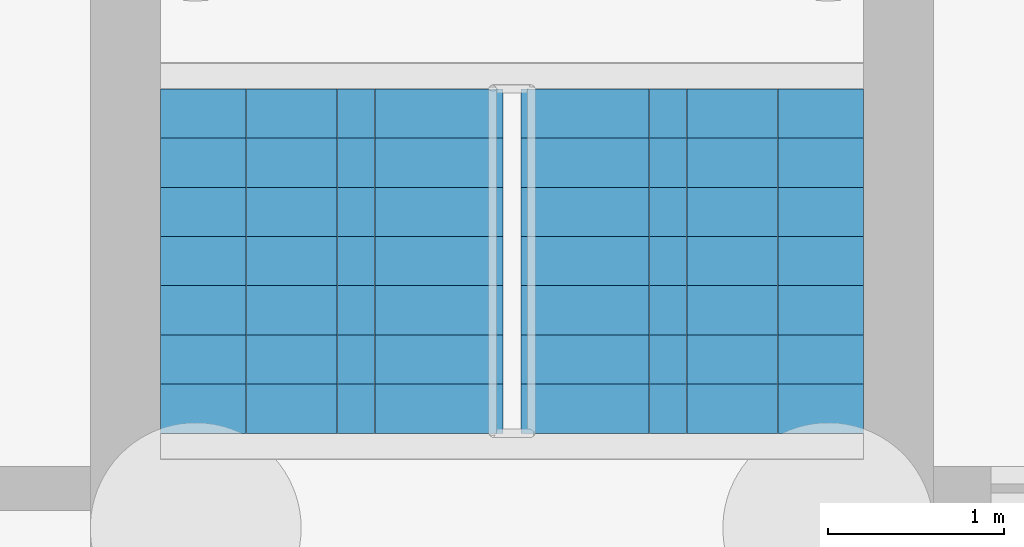
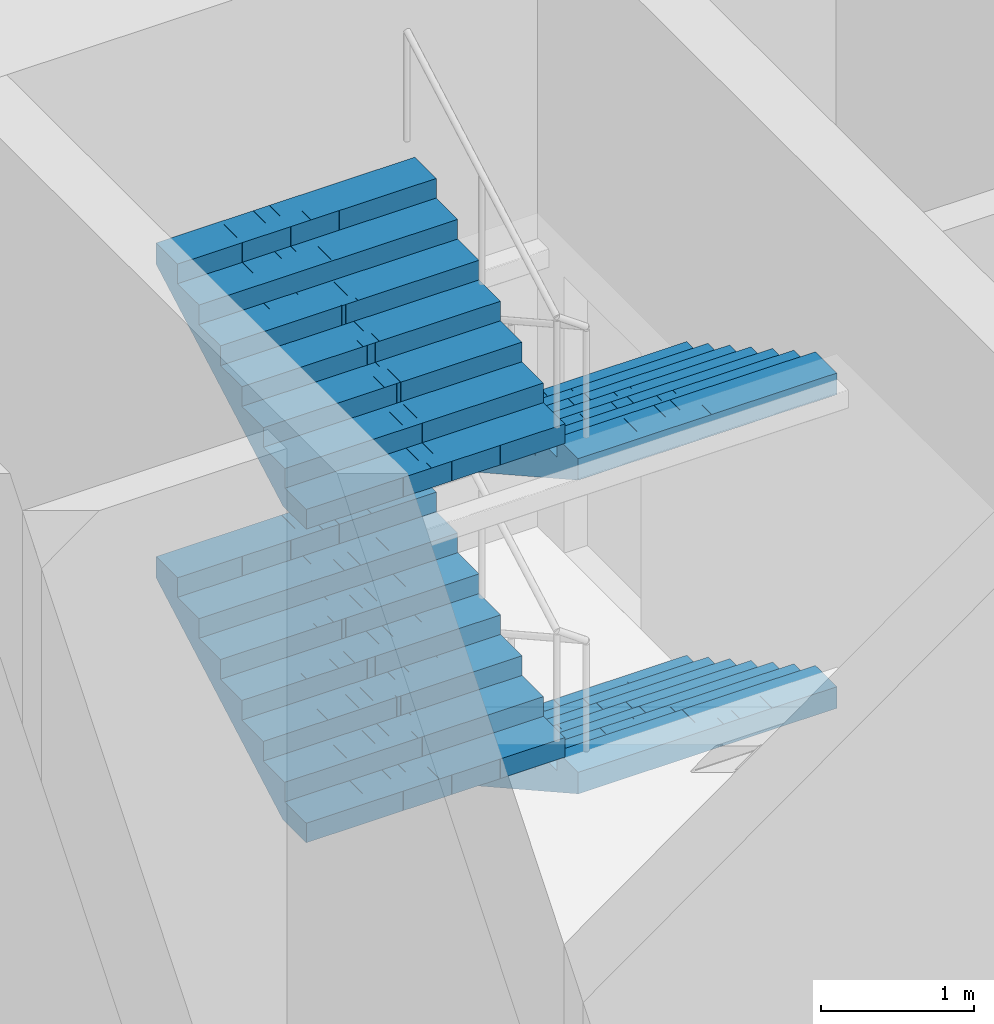
# One storey, part 18 of 31: 4 stair flights, 1 element without a shape of its own.
"""IFC4 building model written with IfcOpenShell, lengths in metres."""

from ifc_helpers import new_model, si_unit, direction, frame, origin, place, context, subcontext, project, spatial, polyline, outline, extrude, material, type_object, element, aggregate, save


model = new_model("IFC4")

# Units and contexts
model_context = context("Model", 3, precision=1e-05, world=origin(), true_north=direction((0.0, 1.0)))
body_context = subcontext(model_context, "Body", "Model", "MODEL_VIEW")
ifc_project = project(units=[si_unit("LENGTHUNIT", "METRE"), si_unit("AREAUNIT", "SQUARE_METRE"), si_unit("VOLUMEUNIT", "CUBIC_METRE"), si_unit("PLANEANGLEUNIT", "RADIAN"), si_unit("MASSUNIT", "GRAM", prefix="KILO")], contexts=[model_context])

# Site, building, storey
site_placement = place(None, origin())
site = spatial("IfcSite", under=ifc_project, at=site_placement, CompositionType="ELEMENT")
building_placement = place(site_placement, origin())
building = spatial("IfcBuilding", under=site, at=building_placement, Name="Mizan Broadcast Tower", CompositionType="ELEMENT")
storey_placement = place(building_placement, frame((0.0, 0.0, -10.0)))
storey = spatial("IfcBuildingStorey", under=building, at=storey_placement, Name="B2", CompositionType="ELEMENT", Elevation=-10.0)

# Stair, stair flights
ifc_material_1 = material(Name="Concrete C40/50", Category="concrete")
stair_type = type_object("IfcStairType", Name="EXIT STAIR", PredefinedType="HALF_TURN_STAIR", material=ifc_material_1)
stair_placement = place(storey_placement, origin())
stair = element("IfcStair", 1, at=stair_placement, inside=storey, type_object=stair_type, Name="Stair B B2", PredefinedType="HALF_TURN_STAIR")
ifc_material_2 = material(Name="Concrete C40/50", Category="concrete")
stair_flight_type = type_object("IfcStairFlightType", Name="EXIT STAIR FLIGHT", PredefinedType="STRAIGHT", material=ifc_material_2)
stair_flight_1_placement = place(storey_placement, frame((1.02490234375, 7.89990234375, 0.0), z_axis=(0.0, 0.0, 1.0), x_axis=(0.0, -1.0, 0.0)))
stair_flight_1 = element("IfcStairFlight", 2, at=stair_flight_1_placement, type_object=stair_flight_type, Name="B flight 1", NumberOfRisers=8, NumberOfTreads=7, PredefinedType="STRAIGHT", RiserHeight=0.15625, TreadLength=0.28, context=body_context, shape_type="SweptSolid", body=[
    extrude(outline(polyline([(0.0, 0.0), (0.0, 0.15625), (0.280029296875, 0.15625), (0.280029296875, 0.3125), (0.56005859375, 0.3125), (0.56005859375, 0.46875), (0.840087890625, 0.46875), (0.840087890625, 0.625), (1.1201171875, 0.625), (1.1201171875, 0.78125), (1.39990234375, 0.78125), (1.39990234375, 0.9375), (1.679931640625, 0.9375), (1.679931640625, 1.09375), (1.9599609375, 1.09375), (1.9599609375, 1.25), (1.9599609375, 0.922119140625), (0.3076171875, 0.0), (0.0, 0.0)])), frame((0.0, 0.97509765625, 0.0), z_axis=(0.0, -1.0, 0.0), x_axis=(1.0, 0.0, 0.0)), (0.0, 0.0, 1.0), 0.4873046875),
    extrude(outline(polyline([(0.0, 0.0), (0.0, 0.15625), (0.280029296875, 0.15625), (0.280029296875, 0.3125), (0.56005859375, 0.3125), (0.56005859375, 0.46875), (0.840087890625, 0.46875), (0.840087890625, 0.625), (1.1201171875, 0.625), (1.1201171875, 0.78125), (1.39990234375, 0.78125), (1.39990234375, 0.9375), (1.679931640625, 0.9375), (1.679931640625, 1.09375), (1.9599609375, 1.09375), (1.9599609375, 1.25), (1.9599609375, 0.922119140625), (0.3076171875, 0.0), (0.0, 0.0)])), frame((0.0, 0.4873046875, 0.0), z_axis=(0.0, -1.0, 0.0), x_axis=(1.0, 0.0, 0.0)), (0.0, 0.0, 1.0), 0.2431640625),
    extrude(outline(polyline([(0.0, 0.0), (0.0, 0.15625), (0.280029296875, 0.15625), (0.280029296875, 0.3125), (0.56005859375, 0.3125), (0.56005859375, 0.46875), (0.840087890625, 0.46875), (0.840087890625, 0.625), (1.1201171875, 0.625), (1.1201171875, 0.78125), (1.39990234375, 0.78125), (1.39990234375, 0.9375), (1.679931640625, 0.9375), (1.679931640625, 1.09375), (1.9599609375, 1.09375), (1.9599609375, 1.25), (1.9599609375, 0.922119140625), (0.3076171875, 0.0), (0.0, 0.0)])), frame((0.0, 0.24365234375, 0.0), z_axis=(0.0, -1.0, 0.0), x_axis=(1.0, 0.0, 0.0)), (0.0, 0.0, 1.0), 0.121337890625),
    extrude(outline(polyline([(0.0, 0.0), (0.0, 0.15625), (0.280029296875, 0.15625), (0.280029296875, 0.3125), (0.56005859375, 0.3125), (0.56005859375, 0.46875), (0.840087890625, 0.46875), (0.840087890625, 0.625), (1.1201171875, 0.625), (1.1201171875, 0.78125), (1.39990234375, 0.78125), (1.39990234375, 0.9375), (1.679931640625, 0.9375), (1.679931640625, 1.09375), (1.9599609375, 1.09375), (1.9599609375, 1.25), (1.9599609375, 0.922119140625), (0.3076171875, 0.0), (0.0, 0.0)])), frame((0.0, 0.121826171875, 0.0), z_axis=(0.0, -1.0, 0.0), x_axis=(1.0, 0.0, 0.0)), (0.0, 0.0, 1.0), 0.060546875),
    extrude(outline(polyline([(0.0, 0.0), (0.0, 0.15625), (0.280029296875, 0.15625), (0.280029296875, 0.3125), (0.56005859375, 0.3125), (0.56005859375, 0.46875), (0.840087890625, 0.46875), (0.840087890625, 0.625), (1.1201171875, 0.625), (1.1201171875, 0.78125), (1.39990234375, 0.78125), (1.39990234375, 0.9375), (1.679931640625, 0.9375), (1.679931640625, 1.09375), (1.9599609375, 1.09375), (1.9599609375, 1.25), (1.9599609375, 0.922119140625), (0.3076171875, 0.0), (0.0, 0.0)])), frame((0.0, 0.060791015625, 0.0), z_axis=(0.0, -1.0, 0.0), x_axis=(1.0, 0.0, 0.0)), (0.0, 0.0, 1.0), 0.030029296875),
    extrude(outline(polyline([(0.0, 0.0), (0.0, 0.15625), (0.280029296875, 0.15625), (0.280029296875, 0.3125), (0.56005859375, 0.3125), (0.56005859375, 0.46875), (0.840087890625, 0.46875), (0.840087890625, 0.625), (1.1201171875, 0.625), (1.1201171875, 0.78125), (1.39990234375, 0.78125), (1.39990234375, 0.9375), (1.679931640625, 0.9375), (1.679931640625, 1.09375), (1.9599609375, 1.09375), (1.9599609375, 1.25), (1.9599609375, 0.922119140625), (0.3076171875, 0.0), (0.0, 0.0)])), frame((0.0, 0.0302734375, 0.0), z_axis=(0.0, -1.0, 0.0), x_axis=(1.0, 0.0, 0.0)), (0.0, 0.0, 1.0), 0.060302734375),
    extrude(outline(polyline([(0.0, 0.0), (0.0, 0.15625), (0.280029296875, 0.15625), (0.280029296875, 0.3125), (0.56005859375, 0.3125), (0.56005859375, 0.46875), (0.840087890625, 0.46875), (0.840087890625, 0.625), (1.1201171875, 0.625), (1.1201171875, 0.78125), (1.39990234375, 0.78125), (1.39990234375, 0.9375), (1.679931640625, 0.9375), (1.679931640625, 1.09375), (1.9599609375, 1.09375), (1.9599609375, 1.25), (1.9599609375, 0.922119140625), (0.3076171875, 0.0), (0.0, 0.0)])), frame((0.0, -0.030517578125, 0.0), z_axis=(0.0, -1.0, 0.0), x_axis=(1.0, 0.0, 0.0)), (0.0, 0.0, 1.0), 0.030029296875),
    extrude(outline(polyline([(0.0, 0.0), (0.0, 0.15625), (0.280029296875, 0.15625), (0.280029296875, 0.3125), (0.56005859375, 0.3125), (0.56005859375, 0.46875), (0.840087890625, 0.46875), (0.840087890625, 0.625), (1.1201171875, 0.625), (1.1201171875, 0.78125), (1.39990234375, 0.78125), (1.39990234375, 0.9375), (1.679931640625, 0.9375), (1.679931640625, 1.09375), (1.9599609375, 1.09375), (1.9599609375, 1.25), (1.9599609375, 0.922119140625), (0.3076171875, 0.0), (0.0, 0.0)])), frame((0.0, -0.06103515625, 0.0), z_axis=(0.0, -1.0, 0.0), x_axis=(1.0, 0.0, 0.0)), (0.0, 0.0, 1.0), 0.060546875),
    extrude(outline(polyline([(0.0, 0.0), (0.0, 0.15625), (0.280029296875, 0.15625), (0.280029296875, 0.3125), (0.56005859375, 0.3125), (0.56005859375, 0.46875), (0.840087890625, 0.46875), (0.840087890625, 0.625), (1.1201171875, 0.625), (1.1201171875, 0.78125), (1.39990234375, 0.78125), (1.39990234375, 0.9375), (1.679931640625, 0.9375), (1.679931640625, 1.09375), (1.9599609375, 1.09375), (1.9599609375, 1.25), (1.9599609375, 0.922119140625), (0.3076171875, 0.0), (0.0, 0.0)])), frame((0.0, -0.1220703125, 0.0), z_axis=(0.0, -1.0, 0.0), x_axis=(1.0, 0.0, 0.0)), (0.0, 0.0, 1.0), 0.121337890625),
    extrude(outline(polyline([(0.0, 0.0), (0.0, 0.15625), (0.280029296875, 0.15625), (0.280029296875, 0.3125), (0.56005859375, 0.3125), (0.56005859375, 0.46875), (0.840087890625, 0.46875), (0.840087890625, 0.625), (1.1201171875, 0.625), (1.1201171875, 0.78125), (1.39990234375, 0.78125), (1.39990234375, 0.9375), (1.679931640625, 0.9375), (1.679931640625, 1.09375), (1.9599609375, 1.09375), (1.9599609375, 1.25), (1.9599609375, 0.922119140625), (0.3076171875, 0.0), (0.0, 0.0)])), frame((0.0, -0.243896484375, 0.0), z_axis=(0.0, -1.0, 0.0), x_axis=(1.0, 0.0, 0.0)), (0.0, 0.0, 1.0), 0.2431640625),
    extrude(outline(polyline([(0.0, 0.0), (0.0, 0.15625), (0.280029296875, 0.15625), (0.280029296875, 0.3125), (0.56005859375, 0.3125), (0.56005859375, 0.46875), (0.840087890625, 0.46875), (0.840087890625, 0.625), (1.1201171875, 0.625), (1.1201171875, 0.78125), (1.39990234375, 0.78125), (1.39990234375, 0.9375), (1.679931640625, 0.9375), (1.679931640625, 1.09375), (1.9599609375, 1.09375), (1.9599609375, 1.25), (1.9599609375, 0.922119140625), (0.3076171875, 0.0), (0.0, 0.0)])), frame((0.0, -0.487548828125, 0.0), z_axis=(0.0, -1.0, 0.0), x_axis=(1.0, 0.0, 0.0)), (0.0, 0.0, 1.0), 0.4873046875),
])
stair_flight_2_placement = place(storey_placement, frame((-1.02490234375, 5.93994140625, 1.25), z_axis=(0.0, 0.0, 1.0), x_axis=(0.0, 1.0, 0.0)))
stair_flight_2 = element("IfcStairFlight", 3, at=stair_flight_2_placement, type_object=stair_flight_type, Name="B flight 2", NumberOfRisers=8, NumberOfTreads=7, PredefinedType="STRAIGHT", RiserHeight=0.15625, TreadLength=0.28, context=body_context, shape_type="SweptSolid", body=[
    extrude(outline(polyline([(0.0, 0.0), (0.0, 0.15625), (0.280029296875, 0.15625), (0.280029296875, 0.3125), (0.56005859375, 0.3125), (0.56005859375, 0.46875), (0.840087890625, 0.46875), (0.840087890625, 0.625), (1.1201171875, 0.625), (1.1201171875, 0.78125), (1.39990234375, 0.78125), (1.39990234375, 0.9375), (1.679931640625, 0.9375), (1.679931640625, 1.09375), (1.9599609375, 1.09375), (1.9599609375, 1.25), (1.9599609375, 0.922119140625), (0.3076171875, 0.0), (0.0, 0.0)])), frame((0.0, 0.97509765625, 0.0), z_axis=(0.0, -1.0, 0.0), x_axis=(1.0, 0.0, 0.0)), (0.0, 0.0, 1.0), 0.4873046875),
    extrude(outline(polyline([(0.0, 0.0), (0.0, 0.15625), (0.280029296875, 0.15625), (0.280029296875, 0.3125), (0.56005859375, 0.3125), (0.56005859375, 0.46875), (0.840087890625, 0.46875), (0.840087890625, 0.625), (1.1201171875, 0.625), (1.1201171875, 0.78125), (1.39990234375, 0.78125), (1.39990234375, 0.9375), (1.679931640625, 0.9375), (1.679931640625, 1.09375), (1.9599609375, 1.09375), (1.9599609375, 1.25), (1.9599609375, 0.922119140625), (0.3076171875, 0.0), (0.0, 0.0)])), frame((0.0, 0.4873046875, 0.0), z_axis=(0.0, -1.0, 0.0), x_axis=(1.0, 0.0, 0.0)), (0.0, 0.0, 1.0), 0.2431640625),
    extrude(outline(polyline([(0.0, 0.0), (0.0, 0.15625), (0.280029296875, 0.15625), (0.280029296875, 0.3125), (0.56005859375, 0.3125), (0.56005859375, 0.46875), (0.840087890625, 0.46875), (0.840087890625, 0.625), (1.1201171875, 0.625), (1.1201171875, 0.78125), (1.39990234375, 0.78125), (1.39990234375, 0.9375), (1.679931640625, 0.9375), (1.679931640625, 1.09375), (1.9599609375, 1.09375), (1.9599609375, 1.25), (1.9599609375, 0.922119140625), (0.3076171875, 0.0), (0.0, 0.0)])), frame((0.0, 0.24365234375, 0.0), z_axis=(0.0, -1.0, 0.0), x_axis=(1.0, 0.0, 0.0)), (0.0, 0.0, 1.0), 0.121337890625),
    extrude(outline(polyline([(0.0, 0.0), (0.0, 0.15625), (0.280029296875, 0.15625), (0.280029296875, 0.3125), (0.56005859375, 0.3125), (0.56005859375, 0.46875), (0.840087890625, 0.46875), (0.840087890625, 0.625), (1.1201171875, 0.625), (1.1201171875, 0.78125), (1.39990234375, 0.78125), (1.39990234375, 0.9375), (1.679931640625, 0.9375), (1.679931640625, 1.09375), (1.9599609375, 1.09375), (1.9599609375, 1.25), (1.9599609375, 0.922119140625), (0.3076171875, 0.0), (0.0, 0.0)])), frame((0.0, 0.121826171875, 0.0), z_axis=(0.0, -1.0, 0.0), x_axis=(1.0, 0.0, 0.0)), (0.0, 0.0, 1.0), 0.060546875),
    extrude(outline(polyline([(0.0, 0.0), (0.0, 0.15625), (0.280029296875, 0.15625), (0.280029296875, 0.3125), (0.56005859375, 0.3125), (0.56005859375, 0.46875), (0.840087890625, 0.46875), (0.840087890625, 0.625), (1.1201171875, 0.625), (1.1201171875, 0.78125), (1.39990234375, 0.78125), (1.39990234375, 0.9375), (1.679931640625, 0.9375), (1.679931640625, 1.09375), (1.9599609375, 1.09375), (1.9599609375, 1.25), (1.9599609375, 0.922119140625), (0.3076171875, 0.0), (0.0, 0.0)])), frame((0.0, 0.060791015625, 0.0), z_axis=(0.0, -1.0, 0.0), x_axis=(1.0, 0.0, 0.0)), (0.0, 0.0, 1.0), 0.030029296875),
    extrude(outline(polyline([(0.0, 0.0), (0.0, 0.15625), (0.280029296875, 0.15625), (0.280029296875, 0.3125), (0.56005859375, 0.3125), (0.56005859375, 0.46875), (0.840087890625, 0.46875), (0.840087890625, 0.625), (1.1201171875, 0.625), (1.1201171875, 0.78125), (1.39990234375, 0.78125), (1.39990234375, 0.9375), (1.679931640625, 0.9375), (1.679931640625, 1.09375), (1.9599609375, 1.09375), (1.9599609375, 1.25), (1.9599609375, 0.922119140625), (0.3076171875, 0.0), (0.0, 0.0)])), frame((0.0, 0.0302734375, 0.0), z_axis=(0.0, -1.0, 0.0), x_axis=(1.0, 0.0, 0.0)), (0.0, 0.0, 1.0), 0.060302734375),
    extrude(outline(polyline([(0.0, 0.0), (0.0, 0.15625), (0.280029296875, 0.15625), (0.280029296875, 0.3125), (0.56005859375, 0.3125), (0.56005859375, 0.46875), (0.840087890625, 0.46875), (0.840087890625, 0.625), (1.1201171875, 0.625), (1.1201171875, 0.78125), (1.39990234375, 0.78125), (1.39990234375, 0.9375), (1.679931640625, 0.9375), (1.679931640625, 1.09375), (1.9599609375, 1.09375), (1.9599609375, 1.25), (1.9599609375, 0.922119140625), (0.3076171875, 0.0), (0.0, 0.0)])), frame((0.0, -0.030517578125, 0.0), z_axis=(0.0, -1.0, 0.0), x_axis=(1.0, 0.0, 0.0)), (0.0, 0.0, 1.0), 0.030029296875),
    extrude(outline(polyline([(0.0, 0.0), (0.0, 0.15625), (0.280029296875, 0.15625), (0.280029296875, 0.3125), (0.56005859375, 0.3125), (0.56005859375, 0.46875), (0.840087890625, 0.46875), (0.840087890625, 0.625), (1.1201171875, 0.625), (1.1201171875, 0.78125), (1.39990234375, 0.78125), (1.39990234375, 0.9375), (1.679931640625, 0.9375), (1.679931640625, 1.09375), (1.9599609375, 1.09375), (1.9599609375, 1.25), (1.9599609375, 0.922119140625), (0.3076171875, 0.0), (0.0, 0.0)])), frame((0.0, -0.06103515625, 0.0), z_axis=(0.0, -1.0, 0.0), x_axis=(1.0, 0.0, 0.0)), (0.0, 0.0, 1.0), 0.060546875),
    extrude(outline(polyline([(0.0, 0.0), (0.0, 0.15625), (0.280029296875, 0.15625), (0.280029296875, 0.3125), (0.56005859375, 0.3125), (0.56005859375, 0.46875), (0.840087890625, 0.46875), (0.840087890625, 0.625), (1.1201171875, 0.625), (1.1201171875, 0.78125), (1.39990234375, 0.78125), (1.39990234375, 0.9375), (1.679931640625, 0.9375), (1.679931640625, 1.09375), (1.9599609375, 1.09375), (1.9599609375, 1.25), (1.9599609375, 0.922119140625), (0.3076171875, 0.0), (0.0, 0.0)])), frame((0.0, -0.1220703125, 0.0), z_axis=(0.0, -1.0, 0.0), x_axis=(1.0, 0.0, 0.0)), (0.0, 0.0, 1.0), 0.121337890625),
    extrude(outline(polyline([(0.0, 0.0), (0.0, 0.15625), (0.280029296875, 0.15625), (0.280029296875, 0.3125), (0.56005859375, 0.3125), (0.56005859375, 0.46875), (0.840087890625, 0.46875), (0.840087890625, 0.625), (1.1201171875, 0.625), (1.1201171875, 0.78125), (1.39990234375, 0.78125), (1.39990234375, 0.9375), (1.679931640625, 0.9375), (1.679931640625, 1.09375), (1.9599609375, 1.09375), (1.9599609375, 1.25), (1.9599609375, 0.922119140625), (0.3076171875, 0.0), (0.0, 0.0)])), frame((0.0, -0.243896484375, 0.0), z_axis=(0.0, -1.0, 0.0), x_axis=(1.0, 0.0, 0.0)), (0.0, 0.0, 1.0), 0.2431640625),
    extrude(outline(polyline([(0.0, 0.0), (0.0, 0.15625), (0.280029296875, 0.15625), (0.280029296875, 0.3125), (0.56005859375, 0.3125), (0.56005859375, 0.46875), (0.840087890625, 0.46875), (0.840087890625, 0.625), (1.1201171875, 0.625), (1.1201171875, 0.78125), (1.39990234375, 0.78125), (1.39990234375, 0.9375), (1.679931640625, 0.9375), (1.679931640625, 1.09375), (1.9599609375, 1.09375), (1.9599609375, 1.25), (1.9599609375, 0.922119140625), (0.3076171875, 0.0), (0.0, 0.0)])), frame((0.0, -0.487548828125, 0.0), z_axis=(0.0, -1.0, 0.0), x_axis=(1.0, 0.0, 0.0)), (0.0, 0.0, 1.0), 0.4873046875),
])
stair_flight_3_placement = place(storey_placement, frame((1.02490234375, 7.89990234375, 2.5), z_axis=(0.0, 0.0, 1.0), x_axis=(0.0, -1.0, 0.0)))
stair_flight_3 = element("IfcStairFlight", 4, at=stair_flight_3_placement, type_object=stair_flight_type, Name="B flight 3", NumberOfRisers=8, NumberOfTreads=7, PredefinedType="STRAIGHT", RiserHeight=0.15625, TreadLength=0.28, context=body_context, shape_type="SweptSolid", body=[
    extrude(outline(polyline([(0.0, 0.0), (0.0, 0.15625), (0.280029296875, 0.15625), (0.280029296875, 0.3125), (0.56005859375, 0.3125), (0.56005859375, 0.46875), (0.840087890625, 0.46875), (0.840087890625, 0.625), (1.1201171875, 0.625), (1.1201171875, 0.78125), (1.39990234375, 0.78125), (1.39990234375, 0.9375), (1.679931640625, 0.9375), (1.679931640625, 1.09375), (1.9599609375, 1.09375), (1.9599609375, 1.25), (1.9599609375, 0.922119140625), (0.3076171875, 0.0), (0.0, 0.0)])), frame((0.0, 0.97509765625, 0.0), z_axis=(0.0, -1.0, 0.0), x_axis=(1.0, 0.0, 0.0)), (0.0, 0.0, 1.0), 0.4873046875),
    extrude(outline(polyline([(0.0, 0.0), (0.0, 0.15625), (0.280029296875, 0.15625), (0.280029296875, 0.3125), (0.56005859375, 0.3125), (0.56005859375, 0.46875), (0.840087890625, 0.46875), (0.840087890625, 0.625), (1.1201171875, 0.625), (1.1201171875, 0.78125), (1.39990234375, 0.78125), (1.39990234375, 0.9375), (1.679931640625, 0.9375), (1.679931640625, 1.09375), (1.9599609375, 1.09375), (1.9599609375, 1.25), (1.9599609375, 0.922119140625), (0.3076171875, 0.0), (0.0, 0.0)])), frame((0.0, 0.4873046875, 0.0), z_axis=(0.0, -1.0, 0.0), x_axis=(1.0, 0.0, 0.0)), (0.0, 0.0, 1.0), 0.2431640625),
    extrude(outline(polyline([(0.0, 0.0), (0.0, 0.15625), (0.280029296875, 0.15625), (0.280029296875, 0.3125), (0.56005859375, 0.3125), (0.56005859375, 0.46875), (0.840087890625, 0.46875), (0.840087890625, 0.625), (1.1201171875, 0.625), (1.1201171875, 0.78125), (1.39990234375, 0.78125), (1.39990234375, 0.9375), (1.679931640625, 0.9375), (1.679931640625, 1.09375), (1.9599609375, 1.09375), (1.9599609375, 1.25), (1.9599609375, 0.922119140625), (0.3076171875, 0.0), (0.0, 0.0)])), frame((0.0, 0.24365234375, 0.0), z_axis=(0.0, -1.0, 0.0), x_axis=(1.0, 0.0, 0.0)), (0.0, 0.0, 1.0), 0.121337890625),
    extrude(outline(polyline([(0.0, 0.0), (0.0, 0.15625), (0.280029296875, 0.15625), (0.280029296875, 0.3125), (0.56005859375, 0.3125), (0.56005859375, 0.46875), (0.840087890625, 0.46875), (0.840087890625, 0.625), (1.1201171875, 0.625), (1.1201171875, 0.78125), (1.39990234375, 0.78125), (1.39990234375, 0.9375), (1.679931640625, 0.9375), (1.679931640625, 1.09375), (1.9599609375, 1.09375), (1.9599609375, 1.25), (1.9599609375, 0.922119140625), (0.3076171875, 0.0), (0.0, 0.0)])), frame((0.0, 0.121826171875, 0.0), z_axis=(0.0, -1.0, 0.0), x_axis=(1.0, 0.0, 0.0)), (0.0, 0.0, 1.0), 0.060546875),
    extrude(outline(polyline([(0.0, 0.0), (0.0, 0.15625), (0.280029296875, 0.15625), (0.280029296875, 0.3125), (0.56005859375, 0.3125), (0.56005859375, 0.46875), (0.840087890625, 0.46875), (0.840087890625, 0.625), (1.1201171875, 0.625), (1.1201171875, 0.78125), (1.39990234375, 0.78125), (1.39990234375, 0.9375), (1.679931640625, 0.9375), (1.679931640625, 1.09375), (1.9599609375, 1.09375), (1.9599609375, 1.25), (1.9599609375, 0.922119140625), (0.3076171875, 0.0), (0.0, 0.0)])), frame((0.0, 0.060791015625, 0.0), z_axis=(0.0, -1.0, 0.0), x_axis=(1.0, 0.0, 0.0)), (0.0, 0.0, 1.0), 0.030029296875),
    extrude(outline(polyline([(0.0, 0.0), (0.0, 0.15625), (0.280029296875, 0.15625), (0.280029296875, 0.3125), (0.56005859375, 0.3125), (0.56005859375, 0.46875), (0.840087890625, 0.46875), (0.840087890625, 0.625), (1.1201171875, 0.625), (1.1201171875, 0.78125), (1.39990234375, 0.78125), (1.39990234375, 0.9375), (1.679931640625, 0.9375), (1.679931640625, 1.09375), (1.9599609375, 1.09375), (1.9599609375, 1.25), (1.9599609375, 0.922119140625), (0.3076171875, 0.0), (0.0, 0.0)])), frame((0.0, 0.0302734375, 0.0), z_axis=(0.0, -1.0, 0.0), x_axis=(1.0, 0.0, 0.0)), (0.0, 0.0, 1.0), 0.060302734375),
    extrude(outline(polyline([(0.0, 0.0), (0.0, 0.15625), (0.280029296875, 0.15625), (0.280029296875, 0.3125), (0.56005859375, 0.3125), (0.56005859375, 0.46875), (0.840087890625, 0.46875), (0.840087890625, 0.625), (1.1201171875, 0.625), (1.1201171875, 0.78125), (1.39990234375, 0.78125), (1.39990234375, 0.9375), (1.679931640625, 0.9375), (1.679931640625, 1.09375), (1.9599609375, 1.09375), (1.9599609375, 1.25), (1.9599609375, 0.922119140625), (0.3076171875, 0.0), (0.0, 0.0)])), frame((0.0, -0.030517578125, 0.0), z_axis=(0.0, -1.0, 0.0), x_axis=(1.0, 0.0, 0.0)), (0.0, 0.0, 1.0), 0.030029296875),
    extrude(outline(polyline([(0.0, 0.0), (0.0, 0.15625), (0.280029296875, 0.15625), (0.280029296875, 0.3125), (0.56005859375, 0.3125), (0.56005859375, 0.46875), (0.840087890625, 0.46875), (0.840087890625, 0.625), (1.1201171875, 0.625), (1.1201171875, 0.78125), (1.39990234375, 0.78125), (1.39990234375, 0.9375), (1.679931640625, 0.9375), (1.679931640625, 1.09375), (1.9599609375, 1.09375), (1.9599609375, 1.25), (1.9599609375, 0.922119140625), (0.3076171875, 0.0), (0.0, 0.0)])), frame((0.0, -0.06103515625, 0.0), z_axis=(0.0, -1.0, 0.0), x_axis=(1.0, 0.0, 0.0)), (0.0, 0.0, 1.0), 0.060546875),
    extrude(outline(polyline([(0.0, 0.0), (0.0, 0.15625), (0.280029296875, 0.15625), (0.280029296875, 0.3125), (0.56005859375, 0.3125), (0.56005859375, 0.46875), (0.840087890625, 0.46875), (0.840087890625, 0.625), (1.1201171875, 0.625), (1.1201171875, 0.78125), (1.39990234375, 0.78125), (1.39990234375, 0.9375), (1.679931640625, 0.9375), (1.679931640625, 1.09375), (1.9599609375, 1.09375), (1.9599609375, 1.25), (1.9599609375, 0.922119140625), (0.3076171875, 0.0), (0.0, 0.0)])), frame((0.0, -0.1220703125, 0.0), z_axis=(0.0, -1.0, 0.0), x_axis=(1.0, 0.0, 0.0)), (0.0, 0.0, 1.0), 0.121337890625),
    extrude(outline(polyline([(0.0, 0.0), (0.0, 0.15625), (0.280029296875, 0.15625), (0.280029296875, 0.3125), (0.56005859375, 0.3125), (0.56005859375, 0.46875), (0.840087890625, 0.46875), (0.840087890625, 0.625), (1.1201171875, 0.625), (1.1201171875, 0.78125), (1.39990234375, 0.78125), (1.39990234375, 0.9375), (1.679931640625, 0.9375), (1.679931640625, 1.09375), (1.9599609375, 1.09375), (1.9599609375, 1.25), (1.9599609375, 0.922119140625), (0.3076171875, 0.0), (0.0, 0.0)])), frame((0.0, -0.243896484375, 0.0), z_axis=(0.0, -1.0, 0.0), x_axis=(1.0, 0.0, 0.0)), (0.0, 0.0, 1.0), 0.2431640625),
    extrude(outline(polyline([(0.0, 0.0), (0.0, 0.15625), (0.280029296875, 0.15625), (0.280029296875, 0.3125), (0.56005859375, 0.3125), (0.56005859375, 0.46875), (0.840087890625, 0.46875), (0.840087890625, 0.625), (1.1201171875, 0.625), (1.1201171875, 0.78125), (1.39990234375, 0.78125), (1.39990234375, 0.9375), (1.679931640625, 0.9375), (1.679931640625, 1.09375), (1.9599609375, 1.09375), (1.9599609375, 1.25), (1.9599609375, 0.922119140625), (0.3076171875, 0.0), (0.0, 0.0)])), frame((0.0, -0.487548828125, 0.0), z_axis=(0.0, -1.0, 0.0), x_axis=(1.0, 0.0, 0.0)), (0.0, 0.0, 1.0), 0.4873046875),
])
stair_flight_4_placement = place(storey_placement, frame((-1.02490234375, 5.93994140625, 3.75), z_axis=(0.0, 0.0, 1.0), x_axis=(0.0, 1.0, 0.0)))
stair_flight_4 = element("IfcStairFlight", 5, at=stair_flight_4_placement, type_object=stair_flight_type, Name="B flight 4", NumberOfRisers=8, NumberOfTreads=7, PredefinedType="STRAIGHT", RiserHeight=0.15625, TreadLength=0.28, context=body_context, shape_type="SweptSolid", body=[
    extrude(outline(polyline([(0.0, 0.0), (0.0, 0.15625), (0.280029296875, 0.15625), (0.280029296875, 0.3125), (0.56005859375, 0.3125), (0.56005859375, 0.46875), (0.840087890625, 0.46875), (0.840087890625, 0.625), (1.1201171875, 0.625), (1.1201171875, 0.78125), (1.39990234375, 0.78125), (1.39990234375, 0.9375), (1.679931640625, 0.9375), (1.679931640625, 1.09375), (1.9599609375, 1.09375), (1.9599609375, 1.25), (1.9599609375, 0.922119140625), (0.3076171875, 0.0), (0.0, 0.0)])), frame((0.0, 0.97509765625, 0.0), z_axis=(0.0, -1.0, 0.0), x_axis=(1.0, 0.0, 0.0)), (0.0, 0.0, 1.0), 0.4873046875),
    extrude(outline(polyline([(0.0, 0.0), (0.0, 0.15625), (0.280029296875, 0.15625), (0.280029296875, 0.3125), (0.56005859375, 0.3125), (0.56005859375, 0.46875), (0.840087890625, 0.46875), (0.840087890625, 0.625), (1.1201171875, 0.625), (1.1201171875, 0.78125), (1.39990234375, 0.78125), (1.39990234375, 0.9375), (1.679931640625, 0.9375), (1.679931640625, 1.09375), (1.9599609375, 1.09375), (1.9599609375, 1.25), (1.9599609375, 0.922119140625), (0.3076171875, 0.0), (0.0, 0.0)])), frame((0.0, 0.4873046875, 0.0), z_axis=(0.0, -1.0, 0.0), x_axis=(1.0, 0.0, 0.0)), (0.0, 0.0, 1.0), 0.2431640625),
    extrude(outline(polyline([(0.0, 0.0), (0.0, 0.15625), (0.280029296875, 0.15625), (0.280029296875, 0.3125), (0.56005859375, 0.3125), (0.56005859375, 0.46875), (0.840087890625, 0.46875), (0.840087890625, 0.625), (1.1201171875, 0.625), (1.1201171875, 0.78125), (1.39990234375, 0.78125), (1.39990234375, 0.9375), (1.679931640625, 0.9375), (1.679931640625, 1.09375), (1.9599609375, 1.09375), (1.9599609375, 1.25), (1.9599609375, 0.922119140625), (0.3076171875, 0.0), (0.0, 0.0)])), frame((0.0, 0.24365234375, 0.0), z_axis=(0.0, -1.0, 0.0), x_axis=(1.0, 0.0, 0.0)), (0.0, 0.0, 1.0), 0.121337890625),
    extrude(outline(polyline([(0.0, 0.0), (0.0, 0.15625), (0.280029296875, 0.15625), (0.280029296875, 0.3125), (0.56005859375, 0.3125), (0.56005859375, 0.46875), (0.840087890625, 0.46875), (0.840087890625, 0.625), (1.1201171875, 0.625), (1.1201171875, 0.78125), (1.39990234375, 0.78125), (1.39990234375, 0.9375), (1.679931640625, 0.9375), (1.679931640625, 1.09375), (1.9599609375, 1.09375), (1.9599609375, 1.25), (1.9599609375, 0.922119140625), (0.3076171875, 0.0), (0.0, 0.0)])), frame((0.0, 0.121826171875, 0.0), z_axis=(0.0, -1.0, 0.0), x_axis=(1.0, 0.0, 0.0)), (0.0, 0.0, 1.0), 0.060546875),
    extrude(outline(polyline([(0.0, 0.0), (0.0, 0.15625), (0.280029296875, 0.15625), (0.280029296875, 0.3125), (0.56005859375, 0.3125), (0.56005859375, 0.46875), (0.840087890625, 0.46875), (0.840087890625, 0.625), (1.1201171875, 0.625), (1.1201171875, 0.78125), (1.39990234375, 0.78125), (1.39990234375, 0.9375), (1.679931640625, 0.9375), (1.679931640625, 1.09375), (1.9599609375, 1.09375), (1.9599609375, 1.25), (1.9599609375, 0.922119140625), (0.3076171875, 0.0), (0.0, 0.0)])), frame((0.0, 0.060791015625, 0.0), z_axis=(0.0, -1.0, 0.0), x_axis=(1.0, 0.0, 0.0)), (0.0, 0.0, 1.0), 0.030029296875),
    extrude(outline(polyline([(0.0, 0.0), (0.0, 0.15625), (0.280029296875, 0.15625), (0.280029296875, 0.3125), (0.56005859375, 0.3125), (0.56005859375, 0.46875), (0.840087890625, 0.46875), (0.840087890625, 0.625), (1.1201171875, 0.625), (1.1201171875, 0.78125), (1.39990234375, 0.78125), (1.39990234375, 0.9375), (1.679931640625, 0.9375), (1.679931640625, 1.09375), (1.9599609375, 1.09375), (1.9599609375, 1.25), (1.9599609375, 0.922119140625), (0.3076171875, 0.0), (0.0, 0.0)])), frame((0.0, 0.0302734375, 0.0), z_axis=(0.0, -1.0, 0.0), x_axis=(1.0, 0.0, 0.0)), (0.0, 0.0, 1.0), 0.060302734375),
    extrude(outline(polyline([(0.0, 0.0), (0.0, 0.15625), (0.280029296875, 0.15625), (0.280029296875, 0.3125), (0.56005859375, 0.3125), (0.56005859375, 0.46875), (0.840087890625, 0.46875), (0.840087890625, 0.625), (1.1201171875, 0.625), (1.1201171875, 0.78125), (1.39990234375, 0.78125), (1.39990234375, 0.9375), (1.679931640625, 0.9375), (1.679931640625, 1.09375), (1.9599609375, 1.09375), (1.9599609375, 1.25), (1.9599609375, 0.922119140625), (0.3076171875, 0.0), (0.0, 0.0)])), frame((0.0, -0.030517578125, 0.0), z_axis=(0.0, -1.0, 0.0), x_axis=(1.0, 0.0, 0.0)), (0.0, 0.0, 1.0), 0.030029296875),
    extrude(outline(polyline([(0.0, 0.0), (0.0, 0.15625), (0.280029296875, 0.15625), (0.280029296875, 0.3125), (0.56005859375, 0.3125), (0.56005859375, 0.46875), (0.840087890625, 0.46875), (0.840087890625, 0.625), (1.1201171875, 0.625), (1.1201171875, 0.78125), (1.39990234375, 0.78125), (1.39990234375, 0.9375), (1.679931640625, 0.9375), (1.679931640625, 1.09375), (1.9599609375, 1.09375), (1.9599609375, 1.25), (1.9599609375, 0.922119140625), (0.3076171875, 0.0), (0.0, 0.0)])), frame((0.0, -0.06103515625, 0.0), z_axis=(0.0, -1.0, 0.0), x_axis=(1.0, 0.0, 0.0)), (0.0, 0.0, 1.0), 0.060546875),
    extrude(outline(polyline([(0.0, 0.0), (0.0, 0.15625), (0.280029296875, 0.15625), (0.280029296875, 0.3125), (0.56005859375, 0.3125), (0.56005859375, 0.46875), (0.840087890625, 0.46875), (0.840087890625, 0.625), (1.1201171875, 0.625), (1.1201171875, 0.78125), (1.39990234375, 0.78125), (1.39990234375, 0.9375), (1.679931640625, 0.9375), (1.679931640625, 1.09375), (1.9599609375, 1.09375), (1.9599609375, 1.25), (1.9599609375, 0.922119140625), (0.3076171875, 0.0), (0.0, 0.0)])), frame((0.0, -0.1220703125, 0.0), z_axis=(0.0, -1.0, 0.0), x_axis=(1.0, 0.0, 0.0)), (0.0, 0.0, 1.0), 0.121337890625),
    extrude(outline(polyline([(0.0, 0.0), (0.0, 0.15625), (0.280029296875, 0.15625), (0.280029296875, 0.3125), (0.56005859375, 0.3125), (0.56005859375, 0.46875), (0.840087890625, 0.46875), (0.840087890625, 0.625), (1.1201171875, 0.625), (1.1201171875, 0.78125), (1.39990234375, 0.78125), (1.39990234375, 0.9375), (1.679931640625, 0.9375), (1.679931640625, 1.09375), (1.9599609375, 1.09375), (1.9599609375, 1.25), (1.9599609375, 0.922119140625), (0.3076171875, 0.0), (0.0, 0.0)])), frame((0.0, -0.243896484375, 0.0), z_axis=(0.0, -1.0, 0.0), x_axis=(1.0, 0.0, 0.0)), (0.0, 0.0, 1.0), 0.2431640625),
    extrude(outline(polyline([(0.0, 0.0), (0.0, 0.15625), (0.280029296875, 0.15625), (0.280029296875, 0.3125), (0.56005859375, 0.3125), (0.56005859375, 0.46875), (0.840087890625, 0.46875), (0.840087890625, 0.625), (1.1201171875, 0.625), (1.1201171875, 0.78125), (1.39990234375, 0.78125), (1.39990234375, 0.9375), (1.679931640625, 0.9375), (1.679931640625, 1.09375), (1.9599609375, 1.09375), (1.9599609375, 1.25), (1.9599609375, 0.922119140625), (0.3076171875, 0.0), (0.0, 0.0)])), frame((0.0, -0.487548828125, 0.0), z_axis=(0.0, -1.0, 0.0), x_axis=(1.0, 0.0, 0.0)), (0.0, 0.0, 1.0), 0.4873046875),
])
aggregate(stair, [stair_flight_1, stair_flight_2, stair_flight_3, stair_flight_4])

save(model, "model.ifc")
